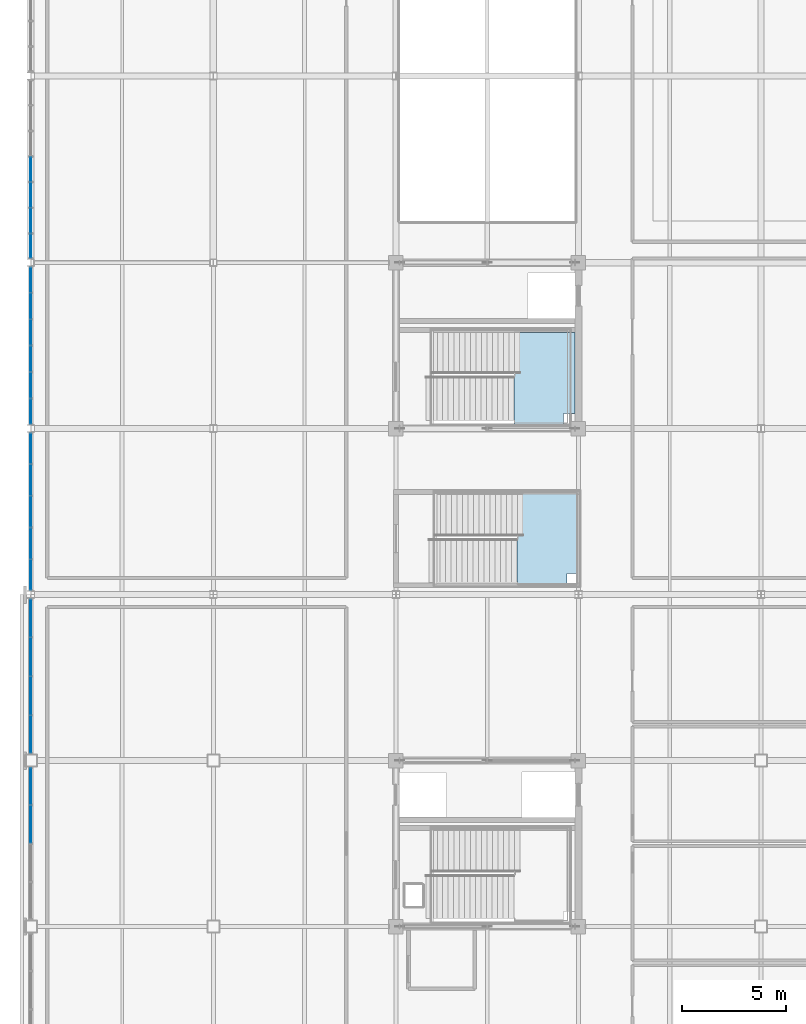
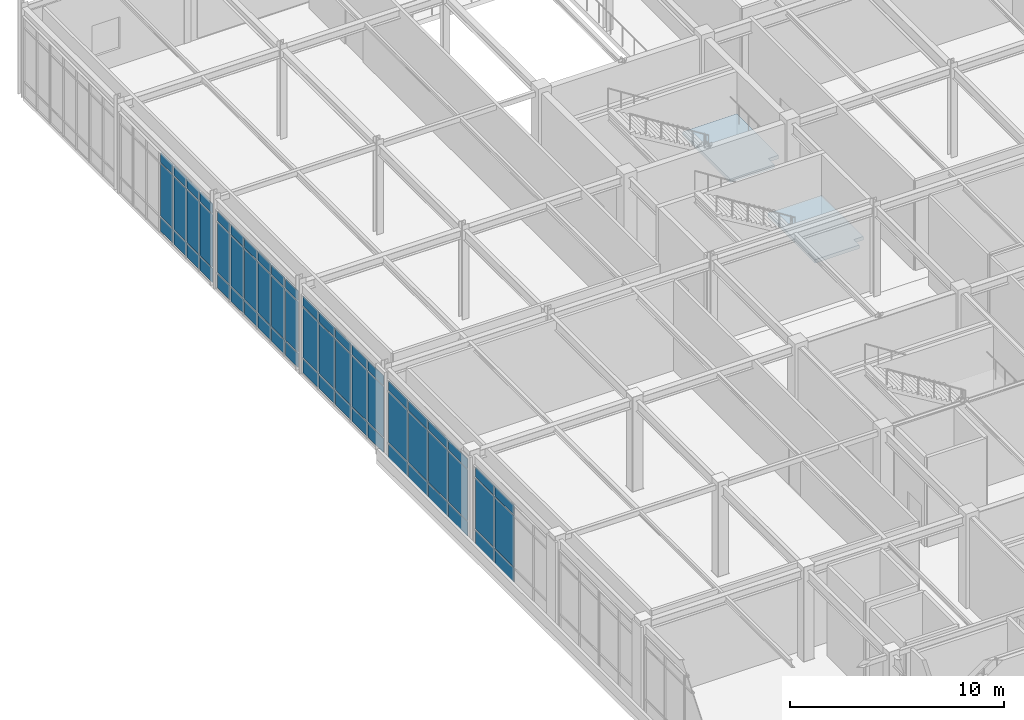
# One storey, part 96 of 184: 63 plates, 2 slabs, 7 elements without a shape of their own.
"""IFC4 building model written with IfcOpenShell, lengths in metres."""

import ifcopenshell
import ifcopenshell.guid

model = None  # the IFC model being written
_history = None  # IfcOwnerHistory: only IFC2X3 demands one
_inside = {}  # id of a spatial element -> (the spatial element, [elements in it])
_under = {}  # id of a project, library or spatial element -> (it, [spatial elements below it])
_declared = {}  # id of a project -> (the project, [libraries it declares])
_typed = {}  # id of a type object -> (the type object, [elements of that type])
_made_of = {}  # id of a material, layer set ... -> (it, [elements and type objects made of it])


def new_model(schema):
    """Start an empty IFC model of exactly this schema.

    Asked for "IFC4X3", IfcOpenShell would pick the latest addendum, in which some entities
    have other attributes; the version numbers below select the first issue.
    IFC2X3 requires an IfcOwnerHistory on every rooted entity: one is made here for all.
    """
    global model, _history
    if schema == "IFC4X3":
        model = ifcopenshell.file(schema_version=(4, 3, 0, 0))
    else:
        model = ifcopenshell.file(schema=schema)
    _inside.clear()
    _under.clear()
    _declared.clear()
    _typed.clear()
    _made_of.clear()
    _history = None
    if model.schema == "IFC2X3":
        org = make("IfcOrganization", Name="unknown")
        user = make(
            "IfcPersonAndOrganization",
            ThePerson=make("IfcPerson", FamilyName="unknown"),
            TheOrganization=org,
        )
        app = make(
            "IfcApplication",
            ApplicationDeveloper=org,
            Version="unknown",
            ApplicationFullName="unknown",
            ApplicationIdentifier="unknown",
        )
        _history = make(
            "IfcOwnerHistory",
            OwningUser=user,
            OwningApplication=app,
            ChangeAction="ADDED",
            CreationDate=0,
        )
    return model


def make(cls, **values):
    """One entity of the class cls with the attributes given. An attribute that is None is left unset."""
    return model.create_entity(
        cls, **{name: value for name, value in values.items() if value is not None}
    )


def rooted(cls, **values):
    """An entity with a GlobalId (a new one), such as an element, a storey or a relation."""
    return make(cls, GlobalId=ifcopenshell.guid.new(), OwnerHistory=_history, **values)


def si_unit(unit_type, name, prefix=None):
    """IfcSIUnit, for example si_unit("LENGTHUNIT", "METRE", prefix="MILLI")."""
    return make("IfcSIUnit", UnitType=unit_type, Prefix=prefix, Name=name)


def assignment(units):
    """IfcUnitAssignment: the units of a project."""
    return None if units is None else make("IfcUnitAssignment", Units=units)


def point(xyz):
    """IfcCartesianPoint."""
    return None if xyz is None else make("IfcCartesianPoint", Coordinates=xyz)


def direction(xyz):
    """IfcDirection."""
    return None if xyz is None else make("IfcDirection", DirectionRatios=xyz)


def frame(location, z_axis=None, x_axis=None):
    """IfcAxis2Placement3D, a coordinate frame: its origin and axes. An axis left out is left unset."""
    return make(
        "IfcAxis2Placement3D",
        Location=point(location),
        Axis=direction(z_axis),
        RefDirection=direction(x_axis),
    )


def frame_2d(location, x_axis=None):
    """IfcAxis2Placement2D, a coordinate frame in the plane: its origin and x axis."""
    return make(
        "IfcAxis2Placement2D", Location=point(location), RefDirection=direction(x_axis)
    )


def origin():
    """The frame at (0, 0, 0) with its axes left unset."""
    return frame((0.0, 0.0, 0.0))


def origin_2d():
    """The frame at (0, 0) in the plane with its x axis left unset."""
    return frame_2d((0.0, 0.0))


def place(relative_to, where):
    """IfcLocalPlacement: puts the frame where relative to a parent placement (None: the world)."""
    return make(
        "IfcLocalPlacement", PlacementRelTo=relative_to, RelativePlacement=where
    )


def context(
    kind, dimensions, precision=None, world=None, true_north=None, identifier=None
):
    """IfcGeometricRepresentationContext, for example the 3D "Model" context."""
    return make(
        "IfcGeometricRepresentationContext",
        ContextIdentifier=identifier,
        ContextType=kind,
        CoordinateSpaceDimension=dimensions,
        Precision=precision,
        WorldCoordinateSystem=world,
        TrueNorth=true_north,
    )


def subcontext(parent, identifier, kind, view, scale=None):
    """IfcGeometricRepresentationSubContext, for example "Body" below "Model"."""
    return make(
        "IfcGeometricRepresentationSubContext",
        ContextIdentifier=identifier,
        ContextType=kind,
        ParentContext=parent,
        TargetScale=scale,
        TargetView=view,
    )


def project(units=None, contexts=None):
    """IfcProject with its units and contexts."""
    return rooted(
        "IfcProject",
        Name="project",
        RepresentationContexts=contexts,
        UnitsInContext=assignment(units),
    )


def spatial(cls, under=None, at=None, **own):
    """A site, building, storey or space (cls), placed at a placement, below another one or the project."""
    s = rooted(cls, ObjectPlacement=at, **own)
    if under is not None:
        _under.setdefault(under.id(), (under, []))[1].append(s)
    return s


def polyline(points):
    """IfcPolyline through the points."""
    return make("IfcPolyline", Points=[point(p) for p in points])


def profile(cls, at=None, kind="AREA", **sizes):
    """A parametric profile (cls). Its sizes go by their IFC names, for example OverallWidth=200.0."""
    return make(cls, ProfileType=kind, Position=at, **sizes)


def rectangle(**sizes):
    """IfcRectangleProfileDef."""
    return profile("IfcRectangleProfileDef", **sizes)


def outline(outer, holes=None, kind="AREA"):
    """IfcArbitraryClosedProfileDef: a profile drawn as a closed curve; with holes, ...WithVoids."""
    if holes is None:
        return make("IfcArbitraryClosedProfileDef", ProfileType=kind, OuterCurve=outer)
    return make(
        "IfcArbitraryProfileDefWithVoids",
        ProfileType=kind,
        OuterCurve=outer,
        InnerCurves=holes,
    )


def extrude(swept, where, along, depth):
    """IfcExtrudedAreaSolid: the profile swept, set in the frame where, extruded along a direction by depth."""
    return make(
        "IfcExtrudedAreaSolid",
        SweptArea=swept,
        Position=where,
        ExtrudedDirection=direction(along),
        Depth=depth,
    )


def shape(context_of_items, identifier, shape_type, items):
    """IfcShapeRepresentation: the items that make up one representation, for example the "Body"."""
    return make(
        "IfcShapeRepresentation",
        ContextOfItems=context_of_items,
        RepresentationIdentifier=identifier,
        RepresentationType=shape_type,
        Items=items,
    )


def material(Name=None, Category=None):
    """IfcMaterial."""
    return make("IfcMaterial", Name=Name, Category=Category)


def layer(
    of_material, thickness, ventilated=None, Name=None, Category=None, Priority=None
):
    """IfcMaterialLayer: one layer of a wall or slab, of a material (None: an air gap)."""
    return make(
        "IfcMaterialLayer",
        Material=of_material,
        LayerThickness=thickness,
        IsVentilated=ventilated,
        Name=Name,
        Category=Category,
        Priority=Priority,
    )


def layer_set(layers, Name=None):
    """IfcMaterialLayerSet."""
    return make("IfcMaterialLayerSet", MaterialLayers=layers, LayerSetName=Name)


def made_of(thing, what):
    """Note that an element or type object is made of a material, layer set ...; save() writes the relation."""
    if what is not None:
        _made_of.setdefault(what.id(), (what, []))[1].append(thing)
    return thing


def type_object(cls, material=None, **own):
    """A type object (cls), such as IfcWallType, which elements share."""
    return made_of(rooted(cls, **own), material)


def element(
    cls,
    number,
    at=None,
    inside=None,
    cuts=None,
    type_object=None,
    material=None,
    context=None,
    identifier="Body",
    shape_type=None,
    held_by="IfcProductDefinitionShape",
    body=None,
    shapes=None,
    **own,
):
    """One element of the class cls, such as IfcWall. Its Tag is "e" and its number.

    at: its placement. inside: the storey or other place that contains it. cuts: it is an
    opening in that element (IfcRelVoidsElement). A single representation is given by context,
    identifier, shape_type and body (its items); several are given by shapes. held_by: the class
    of the entity that holds the representations. save() writes the other relations.
    """
    e = rooted(cls, Tag="e%d" % number, ObjectPlacement=at, **own)
    if body is not None:
        shapes = [shape(context, identifier, shape_type, body)]
    if shapes is not None:
        e.Representation = make(held_by, Representations=shapes)
    if inside is not None:
        _inside.setdefault(inside.id(), (inside, []))[1].append(e)
    if cuts is not None:
        rooted(
            "IfcRelVoidsElement", RelatingBuildingElement=cuts, RelatedOpeningElement=e
        )
    if type_object is not None:
        _typed.setdefault(type_object.id(), (type_object, []))[1].append(e)
    return made_of(e, material)


def aggregate(whole, parts):
    """IfcRelAggregates: a whole, such as a stair, and the parts it consists of."""
    return rooted("IfcRelAggregates", RelatingObject=whole, RelatedObjects=parts)


def save(model, path):
    """Write the relations noted so far, then the file.

    IfcRelAggregates (storeys below a building ...), IfcRelContainedInSpatialStructure (elements
    in a storey), IfcRelDefinesByType, IfcRelAssociatesMaterial and IfcRelDeclares: one each for
    every whole, place, type object, material and project.
    """
    for whole, parts in _under.values():
        aggregate(whole, parts)
    for where, things in _inside.values():
        rooted(
            "IfcRelContainedInSpatialStructure",
            RelatedElements=things,
            RelatingStructure=where,
        )
    for kind, things in _typed.values():
        rooted("IfcRelDefinesByType", RelatedObjects=things, RelatingType=kind)
    for what, things in _made_of.values():
        rooted("IfcRelAssociatesMaterial", RelatedObjects=things, RelatingMaterial=what)
    for by, libraries in _declared.values():
        rooted("IfcRelDeclares", RelatingContext=by, RelatedDefinitions=libraries)
    model.write(path)


model = new_model("IFC4")

# Units and contexts
model_context = context("Model", 3, precision=1e-05, world=origin(), true_north=direction((0.0, 1.0)))
body_context = subcontext(model_context, "Body", "Model", "MODEL_VIEW")
ifc_project = project(units=[si_unit("LENGTHUNIT", "METRE"), si_unit("AREAUNIT", "SQUARE_METRE"), si_unit("VOLUMEUNIT", "CUBIC_METRE"), si_unit("PLANEANGLEUNIT", "RADIAN"), si_unit("MASSUNIT", "GRAM", prefix="KILO")], contexts=[model_context])

# Site, building, storey
site_placement = place(None, origin())
site = spatial("IfcSite", under=ifc_project, at=site_placement, CompositionType="ELEMENT")
building_placement = place(site_placement, origin())
building = spatial("IfcBuilding", under=site, at=building_placement, Name="Zhaolan Boulevard Law Courts", CompositionType="ELEMENT")
storey_placement = place(building_placement, frame((0.0, 0.0, 5.39990234375)))
storey = spatial("IfcBuildingStorey", under=building, at=storey_placement, Name="L01", CompositionType="ELEMENT", Elevation=5.39990234375)

# Curtain wall, plates
ifc_material_1 = material(Name="Thermally broken aluminium and low-E glazing", Category="aluminium")
curtain_wall_type_1 = type_object("IfcCurtainWallType", Name="CURTAIN WALL M11", PredefinedType="USERDEFINED", material=ifc_material_1)
curtain_wall_1_placement = place(storey_placement, origin())
curtain_wall_1 = element("IfcCurtainWall", 1, at=curtain_wall_1_placement, inside=storey, type_object=curtain_wall_type_1, Name="Curtain Wall CW-L01-107", ObjectType="CURTAIN WALL", PredefinedType="USERDEFINED")
ifc_material_2 = material(Name="Acoustic laminated low-E glazing", Category="glass")
ifc_layer_1 = layer(ifc_material_2, 0.031982421875)
ifc_layer_set_1 = layer_set([ifc_layer_1])
plate_type = type_object("IfcPlateType", Name="CWPANEL LOW E32", PredefinedType="CURTAIN_PANEL", material=ifc_layer_set_1)
plate_1_placement = place(storey_placement, frame((0.0, 85.042236328125, 0.06494140625), z_axis=(0.0, 0.0, 1.0), x_axis=(0.0, -1.0, 0.0)))
plate_1 = element("IfcPlate", 2, at=plate_1_placement, type_object=plate_type, Name="CW-L01-107 panel 1.1", PredefinedType="CURTAIN_PANEL", context=body_context, shape_type="SweptSolid", body=[
    extrude(rectangle(XDim=1.431640625, YDim=0.031982421875, at=origin_2d()), origin(), (0.0, 0.0, 1.0), 0.802490234375),
])
plate_2_placement = place(storey_placement, frame((0.0, 85.042236328125, 0.9326171875), z_axis=(0.0, 0.0, 1.0), x_axis=(0.0, -1.0, 0.0)))
plate_2 = element("IfcPlate", 3, at=plate_2_placement, type_object=plate_type, Name="CW-L01-107 panel 1.2", PredefinedType="CURTAIN_PANEL", context=body_context, shape_type="SweptSolid", body=[
    extrude(rectangle(XDim=1.431640625, YDim=0.031982421875, at=origin_2d()), origin(), (0.0, 0.0, 1.0), 2.887939453125),
])
plate_3_placement = place(storey_placement, frame((0.0, 85.042236328125, 3.8857421875), z_axis=(0.0, 0.0, 1.0), x_axis=(0.0, -1.0, 0.0)))
plate_3 = element("IfcPlate", 4, at=plate_3_placement, type_object=plate_type, Name="CW-L01-107 panel 1.3", PredefinedType="CURTAIN_PANEL", context=body_context, shape_type="SweptSolid", body=[
    extrude(rectangle(XDim=1.431640625, YDim=0.031982421875, at=origin_2d()), origin(), (0.0, 0.0, 1.0), 0.552490234375),
])
plate_4_placement = place(storey_placement, frame((0.0, 83.529296875, 0.06494140625), z_axis=(0.0, 0.0, 1.0), x_axis=(0.0, -1.0, 0.0)))
plate_4 = element("IfcPlate", 5, at=plate_4_placement, type_object=plate_type, Name="CW-L01-107 panel 2.1", PredefinedType="CURTAIN_PANEL", context=body_context, shape_type="SweptSolid", body=[
    extrude(rectangle(XDim=1.464111328125, YDim=0.031982421875, at=origin_2d()), origin(), (0.0, 0.0, 1.0), 0.802490234375),
])
plate_5_placement = place(storey_placement, frame((0.0, 83.529296875, 0.9326171875), z_axis=(0.0, 0.0, 1.0), x_axis=(0.0, -1.0, 0.0)))
plate_5 = element("IfcPlate", 6, at=plate_5_placement, type_object=plate_type, Name="CW-L01-107 panel 2.2", PredefinedType="CURTAIN_PANEL", context=body_context, shape_type="SweptSolid", body=[
    extrude(rectangle(XDim=1.464111328125, YDim=0.031982421875, at=origin_2d()), origin(), (0.0, 0.0, 1.0), 2.887939453125),
])
plate_6_placement = place(storey_placement, frame((0.0, 83.529296875, 3.8857421875), z_axis=(0.0, 0.0, 1.0), x_axis=(0.0, -1.0, 0.0)))
plate_6 = element("IfcPlate", 7, at=plate_6_placement, type_object=plate_type, Name="CW-L01-107 panel 2.3", PredefinedType="CURTAIN_PANEL", context=body_context, shape_type="SweptSolid", body=[
    extrude(rectangle(XDim=1.464111328125, YDim=0.031982421875, at=origin_2d()), origin(), (0.0, 0.0, 1.0), 0.552490234375),
])
plate_7_placement = place(storey_placement, frame((0.0, 82.0, 0.06494140625), z_axis=(0.0, 0.0, 1.0), x_axis=(0.0, -1.0, 0.0)))
plate_7 = element("IfcPlate", 8, at=plate_7_placement, type_object=plate_type, Name="CW-L01-107 panel 3.1", PredefinedType="CURTAIN_PANEL", context=body_context, shape_type="SweptSolid", body=[
    extrude(rectangle(XDim=1.464111328125, YDim=0.031982421875, at=origin_2d()), origin(), (0.0, 0.0, 1.0), 0.802490234375),
])
plate_8_placement = place(storey_placement, frame((0.0, 82.0, 0.9326171875), z_axis=(0.0, 0.0, 1.0), x_axis=(0.0, -1.0, 0.0)))
plate_8 = element("IfcPlate", 9, at=plate_8_placement, type_object=plate_type, Name="CW-L01-107 panel 3.2", PredefinedType="CURTAIN_PANEL", context=body_context, shape_type="SweptSolid", body=[
    extrude(rectangle(XDim=1.464111328125, YDim=0.031982421875, at=origin_2d()), origin(), (0.0, 0.0, 1.0), 2.887939453125),
])
plate_9_placement = place(storey_placement, frame((0.0, 82.0, 3.8857421875), z_axis=(0.0, 0.0, 1.0), x_axis=(0.0, -1.0, 0.0)))
plate_9 = element("IfcPlate", 10, at=plate_9_placement, type_object=plate_type, Name="CW-L01-107 panel 3.3", PredefinedType="CURTAIN_PANEL", context=body_context, shape_type="SweptSolid", body=[
    extrude(rectangle(XDim=1.464111328125, YDim=0.031982421875, at=origin_2d()), origin(), (0.0, 0.0, 1.0), 0.552490234375),
])
plate_10_placement = place(storey_placement, frame((0.0, 80.470703125, 0.06494140625), z_axis=(0.0, 0.0, 1.0), x_axis=(0.0, -1.0, 0.0)))
plate_10 = element("IfcPlate", 11, at=plate_10_placement, type_object=plate_type, Name="CW-L01-107 panel 4.1", PredefinedType="CURTAIN_PANEL", context=body_context, shape_type="SweptSolid", body=[
    extrude(rectangle(XDim=1.464111328125, YDim=0.031982421875, at=origin_2d()), origin(), (0.0, 0.0, 1.0), 0.802490234375),
])
plate_11_placement = place(storey_placement, frame((0.0, 80.470703125, 0.9326171875), z_axis=(0.0, 0.0, 1.0), x_axis=(0.0, -1.0, 0.0)))
plate_11 = element("IfcPlate", 12, at=plate_11_placement, type_object=plate_type, Name="CW-L01-107 panel 4.2", PredefinedType="CURTAIN_PANEL", context=body_context, shape_type="SweptSolid", body=[
    extrude(rectangle(XDim=1.464111328125, YDim=0.031982421875, at=origin_2d()), origin(), (0.0, 0.0, 1.0), 2.887939453125),
])
plate_12_placement = place(storey_placement, frame((0.0, 80.470703125, 3.8857421875), z_axis=(0.0, 0.0, 1.0), x_axis=(0.0, -1.0, 0.0)))
plate_12 = element("IfcPlate", 13, at=plate_12_placement, type_object=plate_type, Name="CW-L01-107 panel 4.3", PredefinedType="CURTAIN_PANEL", context=body_context, shape_type="SweptSolid", body=[
    extrude(rectangle(XDim=1.464111328125, YDim=0.031982421875, at=origin_2d()), origin(), (0.0, 0.0, 1.0), 0.552490234375),
])
plate_13_placement = place(storey_placement, frame((0.0, 78.957763671875, 0.06494140625), z_axis=(0.0, 0.0, 1.0), x_axis=(0.0, -1.0, 0.0)))
plate_13 = element("IfcPlate", 14, at=plate_13_placement, type_object=plate_type, Name="CW-L01-107 panel 5.1", PredefinedType="CURTAIN_PANEL", context=body_context, shape_type="SweptSolid", body=[
    extrude(rectangle(XDim=1.431640625, YDim=0.031982421875, at=origin_2d()), origin(), (0.0, 0.0, 1.0), 0.802490234375),
])
plate_14_placement = place(storey_placement, frame((0.0, 78.957763671875, 0.9326171875), z_axis=(0.0, 0.0, 1.0), x_axis=(0.0, -1.0, 0.0)))
plate_14 = element("IfcPlate", 15, at=plate_14_placement, type_object=plate_type, Name="CW-L01-107 panel 5.2", PredefinedType="CURTAIN_PANEL", context=body_context, shape_type="SweptSolid", body=[
    extrude(rectangle(XDim=1.431640625, YDim=0.031982421875, at=origin_2d()), origin(), (0.0, 0.0, 1.0), 2.887939453125),
])
plate_15_placement = place(storey_placement, frame((0.0, 78.957763671875, 3.8857421875), z_axis=(0.0, 0.0, 1.0), x_axis=(0.0, -1.0, 0.0)))
plate_15 = element("IfcPlate", 16, at=plate_15_placement, type_object=plate_type, Name="CW-L01-107 panel 5.3", PredefinedType="CURTAIN_PANEL", context=body_context, shape_type="SweptSolid", body=[
    extrude(rectangle(XDim=1.431640625, YDim=0.031982421875, at=origin_2d()), origin(), (0.0, 0.0, 1.0), 0.552490234375),
])
aggregate(curtain_wall_1, [plate_1, plate_2, plate_3, plate_4, plate_5, plate_6, plate_7, plate_8, plate_9, plate_10, plate_11, plate_12, plate_13, plate_14, plate_15])

ifc_material_3 = material(Name="Thermally broken aluminium and low-E glazing", Category="aluminium")
curtain_wall_type_2 = type_object("IfcCurtainWallType", Name="CURTAIN WALL M12", PredefinedType="USERDEFINED", material=ifc_material_3)
curtain_wall_2_placement = place(storey_placement, origin())
curtain_wall_2 = element("IfcCurtainWall", 17, at=curtain_wall_2_placement, inside=storey, type_object=curtain_wall_type_2, Name="Curtain Wall CW-L01-108", ObjectType="CURTAIN WALL", PredefinedType="USERDEFINED")
plate_16_placement = place(storey_placement, frame((0.0, 93.169677734375, 0.06494140625), z_axis=(0.0, 0.0, 1.0), x_axis=(0.0, -1.0, 0.0)))
plate_16 = element("IfcPlate", 18, at=plate_16_placement, type_object=plate_type, Name="CW-L01-108 panel 1.1", PredefinedType="CURTAIN_PANEL", context=body_context, shape_type="SweptSolid", body=[
    extrude(rectangle(XDim=1.1767578125, YDim=0.031982421875, at=origin_2d()), origin(), (0.0, 0.0, 1.0), 0.802490234375),
])
plate_17_placement = place(storey_placement, frame((0.0, 93.169677734375, 0.9326171875), z_axis=(0.0, 0.0, 1.0), x_axis=(0.0, -1.0, 0.0)))
plate_17 = element("IfcPlate", 19, at=plate_17_placement, type_object=plate_type, Name="CW-L01-108 panel 1.2", PredefinedType="CURTAIN_PANEL", context=body_context, shape_type="SweptSolid", body=[
    extrude(rectangle(XDim=1.1767578125, YDim=0.031982421875, at=origin_2d()), origin(), (0.0, 0.0, 1.0), 2.887939453125),
])
plate_18_placement = place(storey_placement, frame((0.0, 93.169677734375, 3.8857421875), z_axis=(0.0, 0.0, 1.0), x_axis=(0.0, -1.0, 0.0)))
plate_18 = element("IfcPlate", 20, at=plate_18_placement, type_object=plate_type, Name="CW-L01-108 panel 1.3", PredefinedType="CURTAIN_PANEL", context=body_context, shape_type="SweptSolid", body=[
    extrude(rectangle(XDim=1.1767578125, YDim=0.031982421875, at=origin_2d()), origin(), (0.0, 0.0, 1.0), 0.552490234375),
])
plate_19_placement = place(storey_placement, frame((0.0, 91.91162109375, 0.06494140625), z_axis=(0.0, 0.0, 1.0), x_axis=(0.0, -1.0, 0.0)))
plate_19 = element("IfcPlate", 21, at=plate_19_placement, type_object=plate_type, Name="CW-L01-108 panel 2.1", PredefinedType="CURTAIN_PANEL", context=body_context, shape_type="SweptSolid", body=[
    extrude(rectangle(XDim=1.209228515625, YDim=0.031982421875, at=origin_2d()), origin(), (0.0, 0.0, 1.0), 0.802490234375),
])
plate_20_placement = place(storey_placement, frame((0.0, 91.91162109375, 0.9326171875), z_axis=(0.0, 0.0, 1.0), x_axis=(0.0, -1.0, 0.0)))
plate_20 = element("IfcPlate", 22, at=plate_20_placement, type_object=plate_type, Name="CW-L01-108 panel 2.2", PredefinedType="CURTAIN_PANEL", context=body_context, shape_type="SweptSolid", body=[
    extrude(rectangle(XDim=1.209228515625, YDim=0.031982421875, at=origin_2d()), origin(), (0.0, 0.0, 1.0), 2.887939453125),
])
plate_21_placement = place(storey_placement, frame((0.0, 91.91162109375, 3.8857421875), z_axis=(0.0, 0.0, 1.0), x_axis=(0.0, -1.0, 0.0)))
plate_21 = element("IfcPlate", 23, at=plate_21_placement, type_object=plate_type, Name="CW-L01-108 panel 2.3", PredefinedType="CURTAIN_PANEL", context=body_context, shape_type="SweptSolid", body=[
    extrude(rectangle(XDim=1.209228515625, YDim=0.031982421875, at=origin_2d()), origin(), (0.0, 0.0, 1.0), 0.552490234375),
])
plate_22_placement = place(storey_placement, frame((0.0, 90.63720703125, 0.06494140625), z_axis=(0.0, 0.0, 1.0), x_axis=(0.0, -1.0, 0.0)))
plate_22 = element("IfcPlate", 24, at=plate_22_placement, type_object=plate_type, Name="CW-L01-108 panel 3.1", PredefinedType="CURTAIN_PANEL", context=body_context, shape_type="SweptSolid", body=[
    extrude(rectangle(XDim=1.209228515625, YDim=0.031982421875, at=origin_2d()), origin(), (0.0, 0.0, 1.0), 0.802490234375),
])
plate_23_placement = place(storey_placement, frame((0.0, 90.63720703125, 0.9326171875), z_axis=(0.0, 0.0, 1.0), x_axis=(0.0, -1.0, 0.0)))
plate_23 = element("IfcPlate", 25, at=plate_23_placement, type_object=plate_type, Name="CW-L01-108 panel 3.2", PredefinedType="CURTAIN_PANEL", context=body_context, shape_type="SweptSolid", body=[
    extrude(rectangle(XDim=1.209228515625, YDim=0.031982421875, at=origin_2d()), origin(), (0.0, 0.0, 1.0), 2.887939453125),
])
plate_24_placement = place(storey_placement, frame((0.0, 90.63720703125, 3.8857421875), z_axis=(0.0, 0.0, 1.0), x_axis=(0.0, -1.0, 0.0)))
plate_24 = element("IfcPlate", 26, at=plate_24_placement, type_object=plate_type, Name="CW-L01-108 panel 3.3", PredefinedType="CURTAIN_PANEL", context=body_context, shape_type="SweptSolid", body=[
    extrude(rectangle(XDim=1.209228515625, YDim=0.031982421875, at=origin_2d()), origin(), (0.0, 0.0, 1.0), 0.552490234375),
])
plate_25_placement = place(storey_placement, frame((0.0, 89.36279296875, 0.06494140625), z_axis=(0.0, 0.0, 1.0), x_axis=(0.0, -1.0, 0.0)))
plate_25 = element("IfcPlate", 27, at=plate_25_placement, type_object=plate_type, Name="CW-L01-108 panel 4.1", PredefinedType="CURTAIN_PANEL", context=body_context, shape_type="SweptSolid", body=[
    extrude(rectangle(XDim=1.209228515625, YDim=0.031982421875, at=origin_2d()), origin(), (0.0, 0.0, 1.0), 0.802490234375),
])
plate_26_placement = place(storey_placement, frame((0.0, 89.36279296875, 0.9326171875), z_axis=(0.0, 0.0, 1.0), x_axis=(0.0, -1.0, 0.0)))
plate_26 = element("IfcPlate", 28, at=plate_26_placement, type_object=plate_type, Name="CW-L01-108 panel 4.2", PredefinedType="CURTAIN_PANEL", context=body_context, shape_type="SweptSolid", body=[
    extrude(rectangle(XDim=1.209228515625, YDim=0.031982421875, at=origin_2d()), origin(), (0.0, 0.0, 1.0), 2.887939453125),
])
plate_27_placement = place(storey_placement, frame((0.0, 89.36279296875, 3.8857421875), z_axis=(0.0, 0.0, 1.0), x_axis=(0.0, -1.0, 0.0)))
plate_27 = element("IfcPlate", 29, at=plate_27_placement, type_object=plate_type, Name="CW-L01-108 panel 4.3", PredefinedType="CURTAIN_PANEL", context=body_context, shape_type="SweptSolid", body=[
    extrude(rectangle(XDim=1.209228515625, YDim=0.031982421875, at=origin_2d()), origin(), (0.0, 0.0, 1.0), 0.552490234375),
])
plate_28_placement = place(storey_placement, frame((0.0, 88.08837890625, 0.06494140625), z_axis=(0.0, 0.0, 1.0), x_axis=(0.0, -1.0, 0.0)))
plate_28 = element("IfcPlate", 30, at=plate_28_placement, type_object=plate_type, Name="CW-L01-108 panel 5.1", PredefinedType="CURTAIN_PANEL", context=body_context, shape_type="SweptSolid", body=[
    extrude(rectangle(XDim=1.209228515625, YDim=0.031982421875, at=origin_2d()), origin(), (0.0, 0.0, 1.0), 0.802490234375),
])
plate_29_placement = place(storey_placement, frame((0.0, 88.08837890625, 0.9326171875), z_axis=(0.0, 0.0, 1.0), x_axis=(0.0, -1.0, 0.0)))
plate_29 = element("IfcPlate", 31, at=plate_29_placement, type_object=plate_type, Name="CW-L01-108 panel 5.2", PredefinedType="CURTAIN_PANEL", context=body_context, shape_type="SweptSolid", body=[
    extrude(rectangle(XDim=1.209228515625, YDim=0.031982421875, at=origin_2d()), origin(), (0.0, 0.0, 1.0), 2.887939453125),
])
plate_30_placement = place(storey_placement, frame((0.0, 88.08837890625, 3.8857421875), z_axis=(0.0, 0.0, 1.0), x_axis=(0.0, -1.0, 0.0)))
plate_30 = element("IfcPlate", 32, at=plate_30_placement, type_object=plate_type, Name="CW-L01-108 panel 5.3", PredefinedType="CURTAIN_PANEL", context=body_context, shape_type="SweptSolid", body=[
    extrude(rectangle(XDim=1.209228515625, YDim=0.031982421875, at=origin_2d()), origin(), (0.0, 0.0, 1.0), 0.552490234375),
])
plate_31_placement = place(storey_placement, frame((0.0, 86.830322265625, 0.06494140625), z_axis=(0.0, 0.0, 1.0), x_axis=(0.0, -1.0, 0.0)))
plate_31 = element("IfcPlate", 33, at=plate_31_placement, type_object=plate_type, Name="CW-L01-108 panel 6.1", PredefinedType="CURTAIN_PANEL", context=body_context, shape_type="SweptSolid", body=[
    extrude(rectangle(XDim=1.1767578125, YDim=0.031982421875, at=origin_2d()), origin(), (0.0, 0.0, 1.0), 0.802490234375),
])
plate_32_placement = place(storey_placement, frame((0.0, 86.830322265625, 0.9326171875), z_axis=(0.0, 0.0, 1.0), x_axis=(0.0, -1.0, 0.0)))
plate_32 = element("IfcPlate", 34, at=plate_32_placement, type_object=plate_type, Name="CW-L01-108 panel 6.2", PredefinedType="CURTAIN_PANEL", context=body_context, shape_type="SweptSolid", body=[
    extrude(rectangle(XDim=1.1767578125, YDim=0.031982421875, at=origin_2d()), origin(), (0.0, 0.0, 1.0), 2.887939453125),
])
plate_33_placement = place(storey_placement, frame((0.0, 86.830322265625, 3.8857421875), z_axis=(0.0, 0.0, 1.0), x_axis=(0.0, -1.0, 0.0)))
plate_33 = element("IfcPlate", 35, at=plate_33_placement, type_object=plate_type, Name="CW-L01-108 panel 6.3", PredefinedType="CURTAIN_PANEL", context=body_context, shape_type="SweptSolid", body=[
    extrude(rectangle(XDim=1.1767578125, YDim=0.031982421875, at=origin_2d()), origin(), (0.0, 0.0, 1.0), 0.552490234375),
])
aggregate(curtain_wall_2, [plate_16, plate_17, plate_18, plate_19, plate_20, plate_21, plate_22, plate_23, plate_24, plate_25, plate_26, plate_27, plate_28, plate_29, plate_30, plate_31, plate_32, plate_33])

ifc_material_4 = material(Name="Thermally broken aluminium and low-E glazing", Category="aluminium")
curtain_wall_type_3 = type_object("IfcCurtainWallType", Name="CURTAIN WALL M13", PredefinedType="USERDEFINED", material=ifc_material_4)
curtain_wall_3_placement = place(storey_placement, origin())
curtain_wall_3 = element("IfcCurtainWall", 36, at=curtain_wall_3_placement, inside=storey, type_object=curtain_wall_type_3, Name="Curtain Wall CW-L01-109", ObjectType="CURTAIN WALL", PredefinedType="USERDEFINED")
plate_34_placement = place(storey_placement, frame((0.0, 98.5, 0.06494140625), z_axis=(0.0, 0.0, 1.0), x_axis=(0.0, -1.0, 0.0)))
plate_34 = element("IfcPlate", 37, at=plate_34_placement, type_object=plate_type, Name="CW-L01-109 panel 4.1", PredefinedType="CURTAIN_PANEL", context=body_context, shape_type="SweptSolid", body=[
    extrude(rectangle(XDim=1.170166015625, YDim=0.031982421875, at=origin_2d()), origin(), (0.0, 0.0, 1.0), 0.802490234375),
])
plate_35_placement = place(storey_placement, frame((0.0, 98.5, 0.9326171875), z_axis=(0.0, 0.0, 1.0), x_axis=(0.0, -1.0, 0.0)))
plate_35 = element("IfcPlate", 38, at=plate_35_placement, type_object=plate_type, Name="CW-L01-109 panel 4.2", PredefinedType="CURTAIN_PANEL", context=body_context, shape_type="SweptSolid", body=[
    extrude(rectangle(XDim=1.170166015625, YDim=0.031982421875, at=origin_2d()), origin(), (0.0, 0.0, 1.0), 3.006103515625),
])
plate_36_placement = place(storey_placement, frame((0.0, 98.5, 4.00341796875), z_axis=(0.0, 0.0, 1.0), x_axis=(0.0, -1.0, 0.0)))
plate_36 = element("IfcPlate", 39, at=plate_36_placement, type_object=plate_type, Name="CW-L01-109 panel 4.3", PredefinedType="CURTAIN_PANEL", context=body_context, shape_type="SweptSolid", body=[
    extrude(rectangle(XDim=1.170166015625, YDim=0.031982421875, at=origin_2d()), origin(), (0.0, 0.0, 1.0), 0.552490234375),
])
plate_37_placement = place(storey_placement, frame((0.0, 97.264892578125, 0.06494140625), z_axis=(0.0, 0.0, 1.0), x_axis=(0.0, -1.0, 0.0)))
plate_37 = element("IfcPlate", 40, at=plate_37_placement, type_object=plate_type, Name="CW-L01-109 panel 5.1", PredefinedType="CURTAIN_PANEL", context=body_context, shape_type="SweptSolid", body=[
    extrude(rectangle(XDim=1.170166015625, YDim=0.031982421875, at=origin_2d()), origin(), (0.0, 0.0, 1.0), 0.802490234375),
])
plate_38_placement = place(storey_placement, frame((0.0, 97.264892578125, 0.9326171875), z_axis=(0.0, 0.0, 1.0), x_axis=(0.0, -1.0, 0.0)))
plate_38 = element("IfcPlate", 41, at=plate_38_placement, type_object=plate_type, Name="CW-L01-109 panel 5.2", PredefinedType="CURTAIN_PANEL", context=body_context, shape_type="SweptSolid", body=[
    extrude(rectangle(XDim=1.170166015625, YDim=0.031982421875, at=origin_2d()), origin(), (0.0, 0.0, 1.0), 3.006103515625),
])
plate_39_placement = place(storey_placement, frame((0.0, 97.264892578125, 4.00341796875), z_axis=(0.0, 0.0, 1.0), x_axis=(0.0, -1.0, 0.0)))
plate_39 = element("IfcPlate", 42, at=plate_39_placement, type_object=plate_type, Name="CW-L01-109 panel 5.3", PredefinedType="CURTAIN_PANEL", context=body_context, shape_type="SweptSolid", body=[
    extrude(rectangle(XDim=1.170166015625, YDim=0.031982421875, at=origin_2d()), origin(), (0.0, 0.0, 1.0), 0.552490234375),
])
plate_40_placement = place(storey_placement, frame((0.0, 96.02978515625, 0.06494140625), z_axis=(0.0, 0.0, 1.0), x_axis=(0.0, -1.0, 0.0)))
plate_40 = element("IfcPlate", 43, at=plate_40_placement, type_object=plate_type, Name="CW-L01-109 panel 6.1", PredefinedType="CURTAIN_PANEL", context=body_context, shape_type="SweptSolid", body=[
    extrude(rectangle(XDim=1.170166015625, YDim=0.031982421875, at=origin_2d()), origin(), (0.0, 0.0, 1.0), 0.802490234375),
])
plate_41_placement = place(storey_placement, frame((0.0, 96.02978515625, 0.9326171875), z_axis=(0.0, 0.0, 1.0), x_axis=(0.0, -1.0, 0.0)))
plate_41 = element("IfcPlate", 44, at=plate_41_placement, type_object=plate_type, Name="CW-L01-109 panel 6.2", PredefinedType="CURTAIN_PANEL", context=body_context, shape_type="SweptSolid", body=[
    extrude(rectangle(XDim=1.170166015625, YDim=0.031982421875, at=origin_2d()), origin(), (0.0, 0.0, 1.0), 3.006103515625),
])
plate_42_placement = place(storey_placement, frame((0.0, 96.02978515625, 4.00341796875), z_axis=(0.0, 0.0, 1.0), x_axis=(0.0, -1.0, 0.0)))
plate_42 = element("IfcPlate", 45, at=plate_42_placement, type_object=plate_type, Name="CW-L01-109 panel 6.3", PredefinedType="CURTAIN_PANEL", context=body_context, shape_type="SweptSolid", body=[
    extrude(rectangle(XDim=1.170166015625, YDim=0.031982421875, at=origin_2d()), origin(), (0.0, 0.0, 1.0), 0.552490234375),
])
plate_43_placement = place(storey_placement, frame((0.0, 94.810791015625, 0.06494140625), z_axis=(0.0, 0.0, 1.0), x_axis=(0.0, -1.0, 0.0)))
plate_43 = element("IfcPlate", 46, at=plate_43_placement, type_object=plate_type, Name="CW-L01-109 panel 7.1", PredefinedType="CURTAIN_PANEL", context=body_context, shape_type="SweptSolid", body=[
    extrude(rectangle(XDim=1.1376953125, YDim=0.031982421875, at=origin_2d()), origin(), (0.0, 0.0, 1.0), 0.802490234375),
])
plate_44_placement = place(storey_placement, frame((0.0, 94.810791015625, 0.9326171875), z_axis=(0.0, 0.0, 1.0), x_axis=(0.0, -1.0, 0.0)))
plate_44 = element("IfcPlate", 47, at=plate_44_placement, type_object=plate_type, Name="CW-L01-109 panel 7.2", PredefinedType="CURTAIN_PANEL", context=body_context, shape_type="SweptSolid", body=[
    extrude(rectangle(XDim=1.1376953125, YDim=0.031982421875, at=origin_2d()), origin(), (0.0, 0.0, 1.0), 3.006103515625),
])
plate_45_placement = place(storey_placement, frame((0.0, 94.810791015625, 4.00341796875), z_axis=(0.0, 0.0, 1.0), x_axis=(0.0, -1.0, 0.0)))
plate_45 = element("IfcPlate", 48, at=plate_45_placement, type_object=plate_type, Name="CW-L01-109 panel 7.3", PredefinedType="CURTAIN_PANEL", context=body_context, shape_type="SweptSolid", body=[
    extrude(rectangle(XDim=1.1376953125, YDim=0.031982421875, at=origin_2d()), origin(), (0.0, 0.0, 1.0), 0.552490234375),
])
aggregate(curtain_wall_3, [plate_34, plate_35, plate_36, plate_37, plate_38, plate_39, plate_40, plate_41, plate_42, plate_43, plate_44, plate_45])

ifc_material_5 = material(Name="Thermally broken aluminium and low-E glazing", Category="aluminium")
curtain_wall_type_4 = type_object("IfcCurtainWallType", Name="CURTAIN WALL M23", PredefinedType="USERDEFINED", material=ifc_material_5)
curtain_wall_4_placement = place(storey_placement, origin())
curtain_wall_4 = element("IfcCurtainWall", 49, at=curtain_wall_4_placement, inside=storey, type_object=curtain_wall_type_4, Name="Curtain Wall CW-L01-143", ObjectType="CURTAIN WALL", PredefinedType="USERDEFINED")
plate_46_placement = place(storey_placement, frame((0.0, 68.75732421875, 0.06494140625), z_axis=(0.0, 0.0, 1.0), x_axis=(0.0, -1.0, 0.0)))
plate_46 = element("IfcPlate", 50, at=plate_46_placement, type_object=plate_type, Name="CW-L01-143 panel 1.1", PredefinedType="CURTAIN_PANEL", context=body_context, shape_type="SweptSolid", body=[
    extrude(rectangle(XDim=1.75146484375, YDim=0.031982421875, at=origin_2d()), origin(), (0.0, 0.0, 1.0), 0.802490234375),
])
plate_47_placement = place(storey_placement, frame((0.0, 68.75732421875, 0.9326171875), z_axis=(0.0, 0.0, 1.0), x_axis=(0.0, -1.0, 0.0)))
plate_47 = element("IfcPlate", 51, at=plate_47_placement, type_object=plate_type, Name="CW-L01-143 panel 1.2", PredefinedType="CURTAIN_PANEL", context=body_context, shape_type="SweptSolid", body=[
    extrude(rectangle(XDim=1.75146484375, YDim=0.031982421875, at=origin_2d()), origin(), (0.0, 0.0, 1.0), 2.907958984375),
])
plate_48_placement = place(storey_placement, frame((0.0, 68.75732421875, 3.90576171875), z_axis=(0.0, 0.0, 1.0), x_axis=(0.0, -1.0, 0.0)))
plate_48 = element("IfcPlate", 52, at=plate_48_placement, type_object=plate_type, Name="CW-L01-143 panel 1.3", PredefinedType="CURTAIN_PANEL", context=body_context, shape_type="SweptSolid", body=[
    extrude(rectangle(XDim=1.75146484375, YDim=0.031982421875, at=origin_2d()), origin(), (0.0, 0.0, 1.0), 0.552490234375),
])
plate_49_placement = place(storey_placement, frame((0.0, 66.924560546875, 0.06494140625), z_axis=(0.0, 0.0, 1.0), x_axis=(0.0, -1.0, 0.0)))
plate_49 = element("IfcPlate", 53, at=plate_49_placement, type_object=plate_type, Name="CW-L01-143 panel 2.1", PredefinedType="CURTAIN_PANEL", context=body_context, shape_type="SweptSolid", body=[
    extrude(rectangle(XDim=1.783935546875, YDim=0.031982421875, at=origin_2d()), origin(), (0.0, 0.0, 1.0), 0.802490234375),
])
plate_50_placement = place(storey_placement, frame((0.0, 66.924560546875, 0.9326171875), z_axis=(0.0, 0.0, 1.0), x_axis=(0.0, -1.0, 0.0)))
plate_50 = element("IfcPlate", 54, at=plate_50_placement, type_object=plate_type, Name="CW-L01-143 panel 2.2", PredefinedType="CURTAIN_PANEL", context=body_context, shape_type="SweptSolid", body=[
    extrude(rectangle(XDim=1.783935546875, YDim=0.031982421875, at=origin_2d()), origin(), (0.0, 0.0, 1.0), 2.907958984375),
])
plate_51_placement = place(storey_placement, frame((0.0, 66.924560546875, 3.90576171875), z_axis=(0.0, 0.0, 1.0), x_axis=(0.0, -1.0, 0.0)))
plate_51 = element("IfcPlate", 55, at=plate_51_placement, type_object=plate_type, Name="CW-L01-143 panel 2.3", PredefinedType="CURTAIN_PANEL", context=body_context, shape_type="SweptSolid", body=[
    extrude(rectangle(XDim=1.783935546875, YDim=0.031982421875, at=origin_2d()), origin(), (0.0, 0.0, 1.0), 0.552490234375),
])
aggregate(curtain_wall_4, [plate_46, plate_47, plate_48, plate_49, plate_50, plate_51])

ifc_material_6 = material(Name="Thermally broken aluminium and low-E glazing", Category="aluminium")
curtain_wall_type_5 = type_object("IfcCurtainWallType", Name="CURTAIN WALL M24", PredefinedType="USERDEFINED", material=ifc_material_6)
curtain_wall_5_placement = place(storey_placement, origin())
curtain_wall_5 = element("IfcCurtainWall", 56, at=curtain_wall_5_placement, inside=storey, type_object=curtain_wall_type_5, Name="Curtain Wall CW-L01-144", ObjectType="CURTAIN WALL", PredefinedType="USERDEFINED")
plate_52_placement = place(storey_placement, frame((0.0, 76.86669921875, 0.06494140625), z_axis=(0.0, 0.0, 1.0), x_axis=(0.0, -1.0, 0.0)))
plate_52 = element("IfcPlate", 57, at=plate_52_placement, type_object=plate_type, Name="CW-L01-144 panel 1.1", PredefinedType="CURTAIN_PANEL", context=body_context, shape_type="SweptSolid", body=[
    extrude(rectangle(XDim=1.78271484375, YDim=0.031982421875, at=origin_2d()), origin(), (0.0, 0.0, 1.0), 0.802490234375),
])
plate_53_placement = place(storey_placement, frame((0.0, 76.86669921875, 0.9326171875), z_axis=(0.0, 0.0, 1.0), x_axis=(0.0, -1.0, 0.0)))
plate_53 = element("IfcPlate", 58, at=plate_53_placement, type_object=plate_type, Name="CW-L01-144 panel 1.2", PredefinedType="CURTAIN_PANEL", context=body_context, shape_type="SweptSolid", body=[
    extrude(rectangle(XDim=1.78271484375, YDim=0.031982421875, at=origin_2d()), origin(), (0.0, 0.0, 1.0), 2.907958984375),
])
plate_54_placement = place(storey_placement, frame((0.0, 76.86669921875, 3.90576171875), z_axis=(0.0, 0.0, 1.0), x_axis=(0.0, -1.0, 0.0)))
plate_54 = element("IfcPlate", 59, at=plate_54_placement, type_object=plate_type, Name="CW-L01-144 panel 1.3", PredefinedType="CURTAIN_PANEL", context=body_context, shape_type="SweptSolid", body=[
    extrude(rectangle(XDim=1.78271484375, YDim=0.031982421875, at=origin_2d()), origin(), (0.0, 0.0, 1.0), 0.552490234375),
])
plate_55_placement = place(storey_placement, frame((0.0, 75.002685546875, 0.06494140625), z_axis=(0.0, 0.0, 1.0), x_axis=(0.0, -1.0, 0.0)))
plate_55 = element("IfcPlate", 60, at=plate_55_placement, type_object=plate_type, Name="CW-L01-144 panel 2.1", PredefinedType="CURTAIN_PANEL", context=body_context, shape_type="SweptSolid", body=[
    extrude(rectangle(XDim=1.815185546875, YDim=0.031982421875, at=origin_2d()), origin(), (0.0, 0.0, 1.0), 0.802490234375),
])
plate_56_placement = place(storey_placement, frame((0.0, 75.002685546875, 0.9326171875), z_axis=(0.0, 0.0, 1.0), x_axis=(0.0, -1.0, 0.0)))
plate_56 = element("IfcPlate", 61, at=plate_56_placement, type_object=plate_type, Name="CW-L01-144 panel 2.2", PredefinedType="CURTAIN_PANEL", context=body_context, shape_type="SweptSolid", body=[
    extrude(rectangle(XDim=1.815185546875, YDim=0.031982421875, at=origin_2d()), origin(), (0.0, 0.0, 1.0), 2.907958984375),
])
plate_57_placement = place(storey_placement, frame((0.0, 75.002685546875, 3.90576171875), z_axis=(0.0, 0.0, 1.0), x_axis=(0.0, -1.0, 0.0)))
plate_57 = element("IfcPlate", 62, at=plate_57_placement, type_object=plate_type, Name="CW-L01-144 panel 2.3", PredefinedType="CURTAIN_PANEL", context=body_context, shape_type="SweptSolid", body=[
    extrude(rectangle(XDim=1.815185546875, YDim=0.031982421875, at=origin_2d()), origin(), (0.0, 0.0, 1.0), 0.552490234375),
])
plate_58_placement = place(storey_placement, frame((0.0, 73.122314453125, 0.06494140625), z_axis=(0.0, 0.0, 1.0), x_axis=(0.0, -1.0, 0.0)))
plate_58 = element("IfcPlate", 63, at=plate_58_placement, type_object=plate_type, Name="CW-L01-144 panel 3.1", PredefinedType="CURTAIN_PANEL", context=body_context, shape_type="SweptSolid", body=[
    extrude(rectangle(XDim=1.815185546875, YDim=0.031982421875, at=origin_2d()), origin(), (0.0, 0.0, 1.0), 0.802490234375),
])
plate_59_placement = place(storey_placement, frame((0.0, 73.122314453125, 0.9326171875), z_axis=(0.0, 0.0, 1.0), x_axis=(0.0, -1.0, 0.0)))
plate_59 = element("IfcPlate", 64, at=plate_59_placement, type_object=plate_type, Name="CW-L01-144 panel 3.2", PredefinedType="CURTAIN_PANEL", context=body_context, shape_type="SweptSolid", body=[
    extrude(rectangle(XDim=1.815185546875, YDim=0.031982421875, at=origin_2d()), origin(), (0.0, 0.0, 1.0), 2.907958984375),
])
plate_60_placement = place(storey_placement, frame((0.0, 73.122314453125, 3.90576171875), z_axis=(0.0, 0.0, 1.0), x_axis=(0.0, -1.0, 0.0)))
plate_60 = element("IfcPlate", 65, at=plate_60_placement, type_object=plate_type, Name="CW-L01-144 panel 3.3", PredefinedType="CURTAIN_PANEL", context=body_context, shape_type="SweptSolid", body=[
    extrude(rectangle(XDim=1.815185546875, YDim=0.031982421875, at=origin_2d()), origin(), (0.0, 0.0, 1.0), 0.552490234375),
])
plate_61_placement = place(storey_placement, frame((0.0, 71.25830078125, 0.06494140625), z_axis=(0.0, 0.0, 1.0), x_axis=(0.0, -1.0, 0.0)))
plate_61 = element("IfcPlate", 66, at=plate_61_placement, type_object=plate_type, Name="CW-L01-144 panel 4.1", PredefinedType="CURTAIN_PANEL", context=body_context, shape_type="SweptSolid", body=[
    extrude(rectangle(XDim=1.78271484375, YDim=0.031982421875, at=origin_2d()), origin(), (0.0, 0.0, 1.0), 0.802490234375),
])
plate_62_placement = place(storey_placement, frame((0.0, 71.25830078125, 0.9326171875), z_axis=(0.0, 0.0, 1.0), x_axis=(0.0, -1.0, 0.0)))
plate_62 = element("IfcPlate", 67, at=plate_62_placement, type_object=plate_type, Name="CW-L01-144 panel 4.2", PredefinedType="CURTAIN_PANEL", context=body_context, shape_type="SweptSolid", body=[
    extrude(rectangle(XDim=1.78271484375, YDim=0.031982421875, at=origin_2d()), origin(), (0.0, 0.0, 1.0), 2.907958984375),
])
plate_63_placement = place(storey_placement, frame((0.0, 71.25830078125, 3.90576171875), z_axis=(0.0, 0.0, 1.0), x_axis=(0.0, -1.0, 0.0)))
plate_63 = element("IfcPlate", 68, at=plate_63_placement, type_object=plate_type, Name="CW-L01-144 panel 4.3", PredefinedType="CURTAIN_PANEL", context=body_context, shape_type="SweptSolid", body=[
    extrude(rectangle(XDim=1.78271484375, YDim=0.031982421875, at=origin_2d()), origin(), (0.0, 0.0, 1.0), 0.552490234375),
])
aggregate(curtain_wall_5, [plate_52, plate_53, plate_54, plate_55, plate_56, plate_57, plate_58, plate_59, plate_60, plate_61, plate_62, plate_63])

# Stair, slab
ifc_material_7 = material(Name="Concrete C40", Category="concrete")
stair_type_1 = type_object("IfcStairType", Name="HALF TURN STAIR 54 B", PredefinedType="HALF_TURN_STAIR", material=ifc_material_7)
stair_1_placement = place(storey_placement, origin())
stair_1 = element("IfcStair", 69, at=stair_1_placement, inside=storey, type_object=stair_type_1, Name="Stair ST10-L01", PredefinedType="HALF_TURN_STAIR")
ifc_material_8 = material(Name="Concrete C40", Category="concrete")
ifc_layer_2 = layer(ifc_material_8, 0.199951171875)
ifc_layer_set_2 = layer_set([ifc_layer_2])
slab_type = type_object("IfcSlabType", Name="STAIR LANDING 200", PredefinedType="LANDING", material=ifc_layer_set_2)
slab_1_placement = place(storey_placement, frame((0.0, 0.0, 2.5)))
slab_1 = element("IfcSlab", 70, at=slab_1_placement, type_object=slab_type, Name="Stair Landing ST10-L01-L1", PredefinedType="LANDING", context=body_context, shape_type="SweptSolid", body=[
    extrude(outline(polyline([(23.2900390625, 86.169921875), (25.669921875, 86.169921875), (25.669921875, 86.72998046875), (26.22998046875, 86.72998046875), (26.22998046875, 90.639892578125), (23.2900390625, 90.639892578125), (23.2900390625, 86.169921875)])), origin(), (0.0, 0.0, 1.0), 0.2001953125),
])
aggregate(stair_1, [slab_1])

ifc_material_9 = material(Name="Concrete C40", Category="concrete")
stair_type_2 = type_object("IfcStairType", Name="HALF TURN STAIR 54 A", PredefinedType="HALF_TURN_STAIR", material=ifc_material_9)
stair_2_placement = place(storey_placement, origin())
stair_2 = element("IfcStair", 71, at=stair_2_placement, inside=storey, type_object=stair_type_2, Name="Stair ST12-L01", PredefinedType="HALF_TURN_STAIR")
slab_2_placement = place(storey_placement, frame((0.0, 0.0, 2.5)))
slab_2 = element("IfcSlab", 72, at=slab_2_placement, type_object=slab_type, Name="Stair Landing ST12-L01-L1", PredefinedType="LANDING", context=body_context, shape_type="SweptSolid", body=[
    extrude(outline(polyline([(23.43994140625, 78.5), (25.840087890625, 78.5), (25.840087890625, 79.010009765625), (26.35009765625, 79.010009765625), (26.35009765625, 82.89990234375), (23.43994140625, 82.89990234375), (23.43994140625, 78.5)])), origin(), (0.0, 0.0, 1.0), 0.2001953125),
])
aggregate(stair_2, [slab_2])

save(model, "model.ifc")
